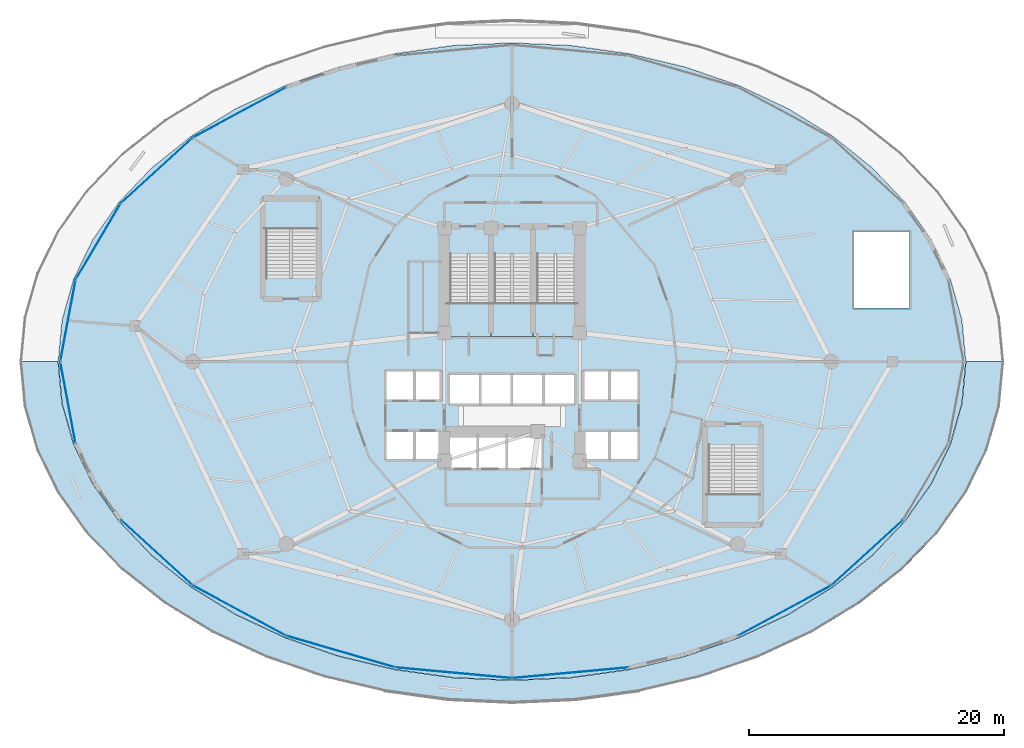
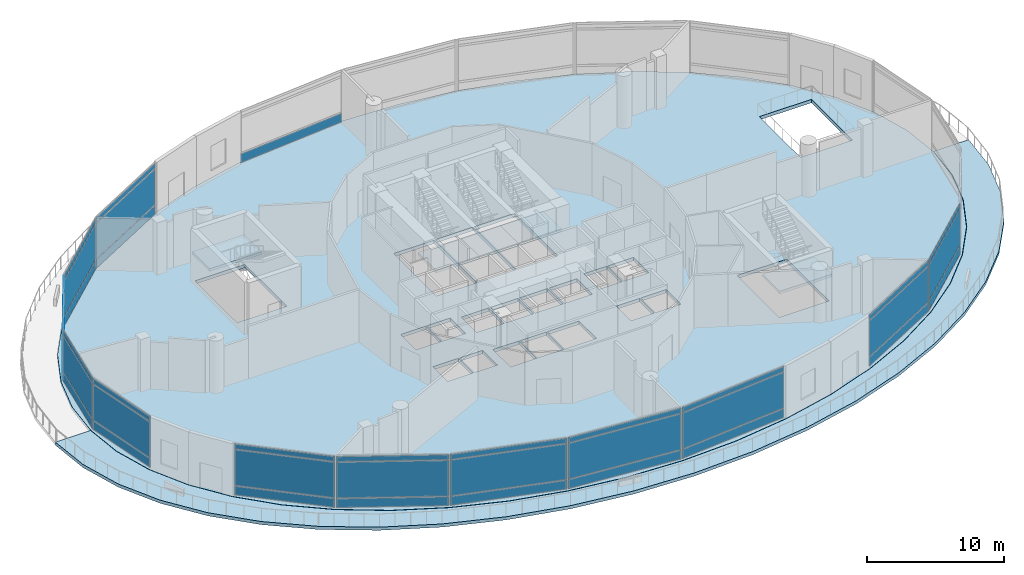
# One storey, part 24 of 36: 37 plates, 7 slabs, 18 elements without a shape of their own.
"""IFC4 building model written with IfcOpenShell, lengths in metres."""

from ifc_helpers import new_model, si_unit, direction, frame, origin, origin_2d, place, context, subcontext, project, spatial, polyline, rectangle, outline, extrude, material, layer, layer_set, type_object, element, aggregate, save


model = new_model("IFC4")

# Units and contexts
model_context = context("Model", 3, precision=1e-05, world=origin(), true_north=direction((0.0, 1.0)))
body_context = subcontext(model_context, "Body", "Model", "MODEL_VIEW")
ifc_project = project(units=[si_unit("LENGTHUNIT", "METRE"), si_unit("AREAUNIT", "SQUARE_METRE"), si_unit("VOLUMEUNIT", "CUBIC_METRE"), si_unit("PLANEANGLEUNIT", "RADIAN"), si_unit("MASSUNIT", "GRAM", prefix="KILO")], contexts=[model_context])

# Site, building, storey
site_placement = place(None, origin())
site = spatial("IfcSite", under=ifc_project, at=site_placement, CompositionType="ELEMENT")
building_placement = place(site_placement, origin())
building = spatial("IfcBuilding", under=site, at=building_placement, Name="Nuhasar Tower", CompositionType="ELEMENT")
storey_placement = place(building_placement, frame((0.0, 0.0, 11.0)))
storey = spatial("IfcBuildingStorey", under=building, at=storey_placement, Name="L02", CompositionType="ELEMENT", Elevation=11.0)

# Curtain wall, plates
ifc_material_1 = material(Name="Aluminium 6063-T6", Category="aluminium")
ifc_layer_1 = layer(ifc_material_1, 0.219970703125)
ifc_layer_set_1 = layer_set([ifc_layer_1], Name="Aluminium 6063-T6")
curtain_wall_type = type_object("IfcCurtainWallType", Name="CW-PODIUM", PredefinedType="NOTDEFINED", material=ifc_layer_set_1)
curtain_wall_1_placement = place(storey_placement, origin())
curtain_wall_1 = element("IfcCurtainWall", 1, at=curtain_wall_1_placement, inside=storey, type_object=curtain_wall_type, Name="L02 Podium Curtain Wall Bay 09", PredefinedType="NOTDEFINED")
ifc_material_2 = material(Name="Glass Double Low-E", Category="glass")
ifc_layer_2 = layer(ifc_material_2, 0.028076171875)
ifc_layer_set_2 = layer_set([ifc_layer_2], Name="Glass Double Low-E")
plate_type_1 = type_object("IfcPlateType", Name="CW-PANEL-GLZ", PredefinedType="CURTAIN_PANEL", material=ifc_layer_set_2)
plate_1_placement = place(storey_placement, frame((17.610107421875, 46.33837890625, 0.9375), z_axis=(0.0, 0.0, 1.0), x_axis=(-0.880736813978, -0.473606022453, 0.0)))
plate_1 = element("IfcPlate", 2, at=plate_1_placement, type_object=plate_type_1, Name="CW-P1 panel 1.2", PredefinedType="CURTAIN_PANEL", context=body_context, shape_type="SweptSolid", body=[
    extrude(rectangle(XDim=8.183837890625, YDim=0.028076171875, at=origin_2d()), origin(), (0.0, 0.0, 1.0), 3.175048828125),
])
plate_2_placement = place(storey_placement, frame((17.610107421875, 46.33837890625, 4.1875), z_axis=(0.0, 0.0, 1.0), x_axis=(-0.880736813978, -0.473606022453, 0.0)))
plate_2 = element("IfcPlate", 3, at=plate_2_placement, type_object=plate_type_1, Name="CW-P1 panel 1.3", PredefinedType="CURTAIN_PANEL", context=body_context, shape_type="SweptSolid", body=[
    extrude(rectangle(XDim=8.183837890625, YDim=0.028076171875, at=origin_2d()), origin(), (0.0, 0.0, 1.0), 0.4375),
])

curtain_wall_2_placement = place(storey_placement, origin())
curtain_wall_2 = element("IfcCurtainWall", 4, at=curtain_wall_2_placement, inside=storey, type_object=curtain_wall_type, Name="L02 Podium Curtain Wall Bay 10", PredefinedType="NOTDEFINED")
plate_3_placement = place(storey_placement, frame((11.1240234375, 41.79248046875, 0.9375), z_axis=(0.0, 0.0, 1.0), x_axis=(-0.738306670127, -0.674465166517, 0.0)))
plate_3 = element("IfcPlate", 5, at=plate_3_placement, type_object=plate_type_1, Name="CW-P1 panel 1.2", PredefinedType="CURTAIN_PANEL", context=body_context, shape_type="SweptSolid", body=[
    extrude(rectangle(XDim=7.478271484375, YDim=0.028076171875, at=origin_2d()), origin(), (0.0, 0.0, 1.0), 3.175048828125),
])
plate_4_placement = place(storey_placement, frame((11.1240234375, 41.79248046875, 4.1875), z_axis=(0.0, 0.0, 1.0), x_axis=(-0.738306670127, -0.674465166517, 0.0)))
plate_4 = element("IfcPlate", 6, at=plate_4_placement, type_object=plate_type_1, Name="CW-P1 panel 1.3", PredefinedType="CURTAIN_PANEL", context=body_context, shape_type="SweptSolid", body=[
    extrude(rectangle(XDim=7.478271484375, YDim=0.028076171875, at=origin_2d()), origin(), (0.0, 0.0, 1.0), 0.4375),
])

curtain_wall_3_placement = place(storey_placement, origin())
curtain_wall_3 = element("IfcCurtainWall", 7, at=curtain_wall_3_placement, inside=storey, type_object=curtain_wall_type, Name="L02 Podium Curtain Wall Bay 11", PredefinedType="NOTDEFINED")
plate_5_placement = place(storey_placement, frame((6.5380859375, 36.224609375, 0.9375), z_axis=(0.0, 0.0, 1.0), x_axis=(-0.508714787537, -0.860935110761, 0.0)))
plate_5 = element("IfcPlate", 8, at=plate_5_placement, type_object=plate_type_1, Name="CW-P1 panel 1.2", PredefinedType="CURTAIN_PANEL", context=body_context, shape_type="SweptSolid", body=[
    extrude(rectangle(XDim=6.80859375, YDim=0.028076171875, at=origin_2d()), origin(), (0.0, 0.0, 1.0), 3.175048828125),
])
plate_6_placement = place(storey_placement, frame((6.5380859375, 36.224609375, 4.1875), z_axis=(0.0, 0.0, 1.0), x_axis=(-0.508714787537, -0.860935110761, 0.0)))
plate_6 = element("IfcPlate", 9, at=plate_6_placement, type_object=plate_type_1, Name="CW-P1 panel 1.3", PredefinedType="CURTAIN_PANEL", context=body_context, shape_type="SweptSolid", body=[
    extrude(rectangle(XDim=6.80859375, YDim=0.028076171875, at=origin_2d()), origin(), (0.0, 0.0, 1.0), 0.4375),
])

curtain_wall_4_placement = place(storey_placement, origin())
curtain_wall_4 = element("IfcCurtainWall", 10, at=curtain_wall_4_placement, inside=storey, type_object=curtain_wall_type, Name="L02 Podium Curtain Wall Bay 12", PredefinedType="NOTDEFINED")
plate_7_placement = place(storey_placement, frame((4.1640625, 30.014404296875, 0.9375), z_axis=(0.0, 0.0, 1.0), x_axis=(-0.184666946725, -0.982801159334, 0.0)))
plate_7 = element("IfcPlate", 11, at=plate_7_placement, type_object=plate_type_1, Name="CW-P1 panel 1.2", PredefinedType="CURTAIN_PANEL", context=body_context, shape_type="SweptSolid", body=[
    extrude(rectangle(XDim=6.3916015625, YDim=0.028076171875, at=origin_2d()), origin(), (0.0, 0.0, 1.0), 3.175048828125),
])
plate_8_placement = place(storey_placement, frame((4.1640625, 30.014404296875, 4.1875), z_axis=(0.0, 0.0, 1.0), x_axis=(-0.184666946725, -0.982801159334, 0.0)))
plate_8 = element("IfcPlate", 12, at=plate_8_placement, type_object=plate_type_1, Name="CW-P1 panel 1.3", PredefinedType="CURTAIN_PANEL", context=body_context, shape_type="SweptSolid", body=[
    extrude(rectangle(XDim=6.3916015625, YDim=0.028076171875, at=origin_2d()), origin(), (0.0, 0.0, 1.0), 0.4375),
])

curtain_wall_5_placement = place(storey_placement, origin())
curtain_wall_5 = element("IfcCurtainWall", 13, at=curtain_wall_5_placement, inside=storey, type_object=curtain_wall_type, Name="L02 Podium Curtain Wall Bay 13", PredefinedType="NOTDEFINED")
plate_9_placement = place(storey_placement, frame((4.1640625, 23.58544921875, 0.9375), z_axis=(0.0, 0.0, 1.0), x_axis=(0.184666946725, -0.982801159334, 0.0)))
plate_9 = element("IfcPlate", 14, at=plate_9_placement, type_object=plate_type_1, Name="CW-P1 panel 1.2", PredefinedType="CURTAIN_PANEL", context=body_context, shape_type="SweptSolid", body=[
    extrude(rectangle(XDim=6.3916015625, YDim=0.028076171875, at=origin_2d()), origin(), (0.0, 0.0, 1.0), 3.175048828125),
])
plate_10_placement = place(storey_placement, frame((4.1640625, 23.58544921875, 4.1875), z_axis=(0.0, 0.0, 1.0), x_axis=(0.184666946725, -0.982801159334, 0.0)))
plate_10 = element("IfcPlate", 15, at=plate_10_placement, type_object=plate_type_1, Name="CW-P1 panel 1.3", PredefinedType="CURTAIN_PANEL", context=body_context, shape_type="SweptSolid", body=[
    extrude(rectangle(XDim=6.3916015625, YDim=0.028076171875, at=origin_2d()), origin(), (0.0, 0.0, 1.0), 0.4375),
])

curtain_wall_6_placement = place(storey_placement, origin())
curtain_wall_6 = element("IfcCurtainWall", 16, at=curtain_wall_6_placement, inside=storey, type_object=curtain_wall_type, Name="L02 Podium Curtain Wall Bay 15", PredefinedType="NOTDEFINED")
plate_11_placement = place(storey_placement, frame((11.1240234375, 11.8076171875, 0.9375), z_axis=(0.0, 0.0, 1.0), x_axis=(0.738306670127, -0.674465166517, 0.0)))
plate_11 = element("IfcPlate", 17, at=plate_11_placement, type_object=plate_type_1, Name="CW-P1 panel 1.2", PredefinedType="CURTAIN_PANEL", context=body_context, shape_type="SweptSolid", body=[
    extrude(rectangle(XDim=7.478271484375, YDim=0.028076171875, at=origin_2d()), origin(), (0.0, 0.0, 1.0), 3.175048828125),
])
plate_12_placement = place(storey_placement, frame((11.1240234375, 11.8076171875, 4.1875), z_axis=(0.0, 0.0, 1.0), x_axis=(0.738306670127, -0.674465166517, 0.0)))
plate_12 = element("IfcPlate", 18, at=plate_12_placement, type_object=plate_type_1, Name="CW-P1 panel 1.3", PredefinedType="CURTAIN_PANEL", context=body_context, shape_type="SweptSolid", body=[
    extrude(rectangle(XDim=7.478271484375, YDim=0.028076171875, at=origin_2d()), origin(), (0.0, 0.0, 1.0), 0.4375),
])

curtain_wall_7_placement = place(storey_placement, origin())
curtain_wall_7 = element("IfcCurtainWall", 19, at=curtain_wall_7_placement, inside=storey, type_object=curtain_wall_type, Name="L02 Podium Curtain Wall Bay 16", PredefinedType="NOTDEFINED")
plate_13_placement = place(storey_placement, frame((17.610107421875, 7.261474609375, 0.9375), z_axis=(0.0, 0.0, 1.0), x_axis=(0.880736813978, -0.473606022453, 0.0)))
plate_13 = element("IfcPlate", 20, at=plate_13_placement, type_object=plate_type_1, Name="CW-P1 panel 1.2", PredefinedType="CURTAIN_PANEL", context=body_context, shape_type="SweptSolid", body=[
    extrude(rectangle(XDim=8.183837890625, YDim=0.028076171875, at=origin_2d()), origin(), (0.0, 0.0, 1.0), 3.175048828125),
])
plate_14_placement = place(storey_placement, frame((17.610107421875, 7.261474609375, 4.1875), z_axis=(0.0, 0.0, 1.0), x_axis=(0.880736813978, -0.473606022453, 0.0)))
plate_14 = element("IfcPlate", 21, at=plate_14_placement, type_object=plate_type_1, Name="CW-P1 panel 1.3", PredefinedType="CURTAIN_PANEL", context=body_context, shape_type="SweptSolid", body=[
    extrude(rectangle(XDim=8.183837890625, YDim=0.028076171875, at=origin_2d()), origin(), (0.0, 0.0, 1.0), 0.4375),
])

curtain_wall_8_placement = place(storey_placement, origin())
curtain_wall_8 = element("IfcCurtainWall", 22, at=curtain_wall_8_placement, inside=storey, type_object=curtain_wall_type, Name="L02 Podium Curtain Wall Bay 17", PredefinedType="NOTDEFINED")
plate_15_placement = place(storey_placement, frame((25.553466796875, 4.047119140625, 0.9375), z_axis=(0.0, 0.0, 1.0), x_axis=(0.960327785787, -0.278873705907, 0.0)))
plate_15 = element("IfcPlate", 23, at=plate_15_placement, type_object=plate_type_1, Name="CW-P1 panel 1.2", PredefinedType="CURTAIN_PANEL", context=body_context, shape_type="SweptSolid", body=[
    extrude(rectangle(XDim=8.75, YDim=0.028076171875, at=origin_2d()), origin(), (0.0, 0.0, 1.0), 3.175048828125),
])
plate_16_placement = place(storey_placement, frame((25.553466796875, 4.047119140625, 4.1875), z_axis=(0.0, 0.0, 1.0), x_axis=(0.960327785787, -0.278873705907, 0.0)))
plate_16 = element("IfcPlate", 24, at=plate_16_placement, type_object=plate_type_1, Name="CW-P1 panel 1.3", PredefinedType="CURTAIN_PANEL", context=body_context, shape_type="SweptSolid", body=[
    extrude(rectangle(XDim=8.75, YDim=0.028076171875, at=origin_2d()), origin(), (0.0, 0.0, 1.0), 0.4375),
])

curtain_wall_9_placement = place(storey_placement, origin())
curtain_wall_9 = element("IfcCurtainWall", 25, at=curtain_wall_9_placement, inside=storey, type_object=curtain_wall_type, Name="L02 Podium Curtain Wall Bay 18", PredefinedType="NOTDEFINED")
plate_17_placement = place(storey_placement, frame((34.41357421875, 2.383056640625, 0.9375), z_axis=(0.0, 0.0, 1.0), x_axis=(0.995774013045, -0.091837437601, 0.0)))
plate_17 = element("IfcPlate", 26, at=plate_17_placement, type_object=plate_type_1, Name="CW-P1 panel 1.2", PredefinedType="CURTAIN_PANEL", context=body_context, shape_type="SweptSolid", body=[
    extrude(rectangle(XDim=9.06201171875, YDim=0.028076171875, at=origin_2d()), origin(), (0.0, 0.0, 1.0), 3.175048828125),
])
plate_18_placement = place(storey_placement, frame((34.41357421875, 2.383056640625, 4.1875), z_axis=(0.0, 0.0, 1.0), x_axis=(0.995774013045, -0.091837437601, 0.0)))
plate_18 = element("IfcPlate", 27, at=plate_18_placement, type_object=plate_type_1, Name="CW-P1 panel 1.3", PredefinedType="CURTAIN_PANEL", context=body_context, shape_type="SweptSolid", body=[
    extrude(rectangle(XDim=9.06201171875, YDim=0.028076171875, at=origin_2d()), origin(), (0.0, 0.0, 1.0), 0.4375),
])

curtain_wall_10_placement = place(storey_placement, origin())
curtain_wall_10 = element("IfcCurtainWall", 28, at=curtain_wall_10_placement, inside=storey, type_object=curtain_wall_type, Name="L02 Podium Curtain Wall Bay 19", PredefinedType="NOTDEFINED")
plate_19_placement = place(storey_placement, frame((43.58642578125, 2.383056640625, 0.9375), z_axis=(0.0, 0.0, 1.0), x_axis=(0.995774013045, 0.091837437601, 0.0)))
plate_19 = element("IfcPlate", 29, at=plate_19_placement, type_object=plate_type_1, Name="CW-P1 panel 1.2", PredefinedType="CURTAIN_PANEL", context=body_context, shape_type="SweptSolid", body=[
    extrude(rectangle(XDim=9.06201171875, YDim=0.028076171875, at=origin_2d()), origin(), (0.0, 0.0, 1.0), 3.175048828125),
])
plate_20_placement = place(storey_placement, frame((43.58642578125, 2.383056640625, 4.1875), z_axis=(0.0, 0.0, 1.0), x_axis=(0.995774013045, 0.091837437601, 0.0)))
plate_20 = element("IfcPlate", 30, at=plate_20_placement, type_object=plate_type_1, Name="CW-P1 panel 1.3", PredefinedType="CURTAIN_PANEL", context=body_context, shape_type="SweptSolid", body=[
    extrude(rectangle(XDim=9.06201171875, YDim=0.028076171875, at=origin_2d()), origin(), (0.0, 0.0, 1.0), 0.4375),
])

curtain_wall_11_placement = place(storey_placement, origin())
curtain_wall_11 = element("IfcCurtainWall", 31, at=curtain_wall_11_placement, inside=storey, type_object=curtain_wall_type, Name="L02 Podium Curtain Wall Bay 21", PredefinedType="NOTDEFINED")
plate_21_placement = place(storey_placement, frame((60.389892578125, 7.261474609375, 0.9375), z_axis=(0.0, 0.0, 1.0), x_axis=(0.880736813978, 0.473606022453, 0.0)))
plate_21 = element("IfcPlate", 32, at=plate_21_placement, type_object=plate_type_1, Name="CW-P1 panel 1.2", PredefinedType="CURTAIN_PANEL", context=body_context, shape_type="SweptSolid", body=[
    extrude(rectangle(XDim=8.183837890625, YDim=0.028076171875, at=origin_2d()), origin(), (0.0, 0.0, 1.0), 3.175048828125),
])
plate_22_placement = place(storey_placement, frame((60.389892578125, 7.261474609375, 4.1875), z_axis=(0.0, 0.0, 1.0), x_axis=(0.880736813978, 0.473606022453, 0.0)))
plate_22 = element("IfcPlate", 33, at=plate_22_placement, type_object=plate_type_1, Name="CW-P1 panel 1.3", PredefinedType="CURTAIN_PANEL", context=body_context, shape_type="SweptSolid", body=[
    extrude(rectangle(XDim=8.183837890625, YDim=0.028076171875, at=origin_2d()), origin(), (0.0, 0.0, 1.0), 0.4375),
])

curtain_wall_12_placement = place(storey_placement, origin())
curtain_wall_12 = element("IfcCurtainWall", 34, at=curtain_wall_12_placement, inside=storey, type_object=curtain_wall_type, Name="L02 Podium Curtain Wall Bay 22", PredefinedType="NOTDEFINED")
plate_23_placement = place(storey_placement, frame((66.8759765625, 11.8076171875, 0.9375), z_axis=(0.0, 0.0, 1.0), x_axis=(0.738306670127, 0.674465166517, 0.0)))
plate_23 = element("IfcPlate", 35, at=plate_23_placement, type_object=plate_type_1, Name="CW-P1 panel 1.2", PredefinedType="CURTAIN_PANEL", context=body_context, shape_type="SweptSolid", body=[
    extrude(rectangle(XDim=7.478271484375, YDim=0.028076171875, at=origin_2d()), origin(), (0.0, 0.0, 1.0), 3.175048828125),
])
plate_24_placement = place(storey_placement, frame((66.8759765625, 11.8076171875, 4.1875), z_axis=(0.0, 0.0, 1.0), x_axis=(0.738306670127, 0.674465166517, 0.0)))
plate_24 = element("IfcPlate", 36, at=plate_24_placement, type_object=plate_type_1, Name="CW-P1 panel 1.3", PredefinedType="CURTAIN_PANEL", context=body_context, shape_type="SweptSolid", body=[
    extrude(rectangle(XDim=7.478271484375, YDim=0.028076171875, at=origin_2d()), origin(), (0.0, 0.0, 1.0), 0.4375),
])

# Curtain wall, plate
curtain_wall_13_placement = place(storey_placement, origin())
curtain_wall_13 = element("IfcCurtainWall", 37, at=curtain_wall_13_placement, inside=storey, type_object=curtain_wall_type, Name="L02 Podium Curtain Wall Bay 07", PredefinedType="NOTDEFINED")
ifc_material_3 = material(Name="Glass Spandrel", Category="glass")
ifc_layer_3 = layer(ifc_material_3, 0.035888671875)
ifc_layer_set_3 = layer_set([ifc_layer_3], Name="Glass Spandrel")
plate_type_2 = type_object("IfcPlateType", Name="CW-PANEL-SPN", PredefinedType="CURTAIN_PANEL", material=ifc_layer_set_3)
plate_25_placement = place(storey_placement, frame((34.41357421875, 51.217041015625, 0.074951171875), z_axis=(0.0, 0.0, 1.0), x_axis=(-0.995774013045, -0.091837437601, 0.0)))
plate_25 = element("IfcPlate", 38, at=plate_25_placement, type_object=plate_type_2, Name="CW-P1 panel 1.1", PredefinedType="CURTAIN_PANEL", context=body_context, shape_type="SweptSolid", body=[
    extrude(rectangle(XDim=9.06201171875, YDim=0.035888671875, at=origin_2d()), origin(), (0.0, 0.0, 1.0), 0.78759765625),
])
aggregate(curtain_wall_13, [plate_25])

# Plate
plate_26_placement = place(storey_placement, frame((17.610107421875, 46.33837890625, 0.074951171875), z_axis=(0.0, 0.0, 1.0), x_axis=(-0.880736813978, -0.473606022453, 0.0)))
plate_26 = element("IfcPlate", 39, at=plate_26_placement, type_object=plate_type_2, Name="CW-P1 panel 1.1", PredefinedType="CURTAIN_PANEL", context=body_context, shape_type="SweptSolid", body=[
    extrude(rectangle(XDim=8.183837890625, YDim=0.035888671875, at=origin_2d()), origin(), (0.0, 0.0, 1.0), 0.78759765625),
])

aggregate(curtain_wall_1, [plate_26, plate_1, plate_2])

plate_27_placement = place(storey_placement, frame((11.1240234375, 41.79248046875, 0.074951171875), z_axis=(0.0, 0.0, 1.0), x_axis=(-0.738306670127, -0.674465166517, 0.0)))
plate_27 = element("IfcPlate", 40, at=plate_27_placement, type_object=plate_type_2, Name="CW-P1 panel 1.1", PredefinedType="CURTAIN_PANEL", context=body_context, shape_type="SweptSolid", body=[
    extrude(rectangle(XDim=7.478271484375, YDim=0.035888671875, at=origin_2d()), origin(), (0.0, 0.0, 1.0), 0.78759765625),
])

aggregate(curtain_wall_2, [plate_27, plate_3, plate_4])

plate_28_placement = place(storey_placement, frame((6.5380859375, 36.224609375, 0.074951171875), z_axis=(0.0, 0.0, 1.0), x_axis=(-0.508714787537, -0.860935110761, 0.0)))
plate_28 = element("IfcPlate", 41, at=plate_28_placement, type_object=plate_type_2, Name="CW-P1 panel 1.1", PredefinedType="CURTAIN_PANEL", context=body_context, shape_type="SweptSolid", body=[
    extrude(rectangle(XDim=6.80859375, YDim=0.035888671875, at=origin_2d()), origin(), (0.0, 0.0, 1.0), 0.78759765625),
])

aggregate(curtain_wall_3, [plate_28, plate_5, plate_6])

plate_29_placement = place(storey_placement, frame((4.1640625, 30.014404296875, 0.074951171875), z_axis=(0.0, 0.0, 1.0), x_axis=(-0.184666946725, -0.982801159334, 0.0)))
plate_29 = element("IfcPlate", 42, at=plate_29_placement, type_object=plate_type_2, Name="CW-P1 panel 1.1", PredefinedType="CURTAIN_PANEL", context=body_context, shape_type="SweptSolid", body=[
    extrude(rectangle(XDim=6.3916015625, YDim=0.035888671875, at=origin_2d()), origin(), (0.0, 0.0, 1.0), 0.78759765625),
])

aggregate(curtain_wall_4, [plate_29, plate_7, plate_8])

plate_30_placement = place(storey_placement, frame((4.1640625, 23.58544921875, 0.074951171875), z_axis=(0.0, 0.0, 1.0), x_axis=(0.184666946725, -0.982801159334, 0.0)))
plate_30 = element("IfcPlate", 43, at=plate_30_placement, type_object=plate_type_2, Name="CW-P1 panel 1.1", PredefinedType="CURTAIN_PANEL", context=body_context, shape_type="SweptSolid", body=[
    extrude(rectangle(XDim=6.3916015625, YDim=0.035888671875, at=origin_2d()), origin(), (0.0, 0.0, 1.0), 0.78759765625),
])

aggregate(curtain_wall_5, [plate_30, plate_9, plate_10])

plate_31_placement = place(storey_placement, frame((11.1240234375, 11.8076171875, 0.074951171875), z_axis=(0.0, 0.0, 1.0), x_axis=(0.738306670127, -0.674465166517, 0.0)))
plate_31 = element("IfcPlate", 44, at=plate_31_placement, type_object=plate_type_2, Name="CW-P1 panel 1.1", PredefinedType="CURTAIN_PANEL", context=body_context, shape_type="SweptSolid", body=[
    extrude(rectangle(XDim=7.478271484375, YDim=0.035888671875, at=origin_2d()), origin(), (0.0, 0.0, 1.0), 0.78759765625),
])

aggregate(curtain_wall_6, [plate_31, plate_11, plate_12])

plate_32_placement = place(storey_placement, frame((17.610107421875, 7.261474609375, 0.074951171875), z_axis=(0.0, 0.0, 1.0), x_axis=(0.880736813978, -0.473606022453, 0.0)))
plate_32 = element("IfcPlate", 45, at=plate_32_placement, type_object=plate_type_2, Name="CW-P1 panel 1.1", PredefinedType="CURTAIN_PANEL", context=body_context, shape_type="SweptSolid", body=[
    extrude(rectangle(XDim=8.183837890625, YDim=0.035888671875, at=origin_2d()), origin(), (0.0, 0.0, 1.0), 0.78759765625),
])

aggregate(curtain_wall_7, [plate_32, plate_13, plate_14])

plate_33_placement = place(storey_placement, frame((25.553466796875, 4.047119140625, 0.074951171875), z_axis=(0.0, 0.0, 1.0), x_axis=(0.960327785787, -0.278873705907, 0.0)))
plate_33 = element("IfcPlate", 46, at=plate_33_placement, type_object=plate_type_2, Name="CW-P1 panel 1.1", PredefinedType="CURTAIN_PANEL", context=body_context, shape_type="SweptSolid", body=[
    extrude(rectangle(XDim=8.75, YDim=0.035888671875, at=origin_2d()), origin(), (0.0, 0.0, 1.0), 0.78759765625),
])

aggregate(curtain_wall_8, [plate_33, plate_15, plate_16])

plate_34_placement = place(storey_placement, frame((34.41357421875, 2.383056640625, 0.074951171875), z_axis=(0.0, 0.0, 1.0), x_axis=(0.995774013045, -0.091837437601, 0.0)))
plate_34 = element("IfcPlate", 47, at=plate_34_placement, type_object=plate_type_2, Name="CW-P1 panel 1.1", PredefinedType="CURTAIN_PANEL", context=body_context, shape_type="SweptSolid", body=[
    extrude(rectangle(XDim=9.06201171875, YDim=0.035888671875, at=origin_2d()), origin(), (0.0, 0.0, 1.0), 0.78759765625),
])

aggregate(curtain_wall_9, [plate_34, plate_17, plate_18])

plate_35_placement = place(storey_placement, frame((43.58642578125, 2.383056640625, 0.074951171875), z_axis=(0.0, 0.0, 1.0), x_axis=(0.995774013045, 0.091837437601, 0.0)))
plate_35 = element("IfcPlate", 48, at=plate_35_placement, type_object=plate_type_2, Name="CW-P1 panel 1.1", PredefinedType="CURTAIN_PANEL", context=body_context, shape_type="SweptSolid", body=[
    extrude(rectangle(XDim=9.06201171875, YDim=0.035888671875, at=origin_2d()), origin(), (0.0, 0.0, 1.0), 0.78759765625),
])

aggregate(curtain_wall_10, [plate_35, plate_19, plate_20])

plate_36_placement = place(storey_placement, frame((60.389892578125, 7.261474609375, 0.074951171875), z_axis=(0.0, 0.0, 1.0), x_axis=(0.880736813978, 0.473606022453, 0.0)))
plate_36 = element("IfcPlate", 49, at=plate_36_placement, type_object=plate_type_2, Name="CW-P1 panel 1.1", PredefinedType="CURTAIN_PANEL", context=body_context, shape_type="SweptSolid", body=[
    extrude(rectangle(XDim=8.183837890625, YDim=0.035888671875, at=origin_2d()), origin(), (0.0, 0.0, 1.0), 0.78759765625),
])

aggregate(curtain_wall_11, [plate_36, plate_21, plate_22])

plate_37_placement = place(storey_placement, frame((66.8759765625, 11.8076171875, 0.074951171875), z_axis=(0.0, 0.0, 1.0), x_axis=(0.738306670127, 0.674465166517, 0.0)))
plate_37 = element("IfcPlate", 50, at=plate_37_placement, type_object=plate_type_2, Name="CW-P1 panel 1.1", PredefinedType="CURTAIN_PANEL", context=body_context, shape_type="SweptSolid", body=[
    extrude(rectangle(XDim=7.478271484375, YDim=0.035888671875, at=origin_2d()), origin(), (0.0, 0.0, 1.0), 0.78759765625),
])

aggregate(curtain_wall_12, [plate_37, plate_23, plate_24])

# Slab
ifc_material_4 = material(Name="Concrete C50/60", Category="concrete")
ifc_layer_4 = layer(ifc_material_4, 0.300048828125)
ifc_layer_set_4 = layer_set([ifc_layer_4], Name="Concrete C50/60")
slab_type_1 = type_object("IfcSlabType", Name="SLB-POD-300", PredefinedType="FLOOR", material=ifc_layer_set_4)
slab_1_placement = place(storey_placement, frame((0.0, 0.0, -0.300048828125)))
element("IfcSlab", 51, at=slab_1_placement, inside=storey, type_object=slab_type_1, Name="L02 Structural Slab", PredefinedType="FLOOR", context=body_context, shape_type="SweptSolid", body=[
    extrude(outline(polyline([(74.60009765625, 26.800048828125), (74.294921875, 30.06298828125), (73.386962890625, 33.27001953125), (71.889892578125, 36.366943359375), (69.8310546875, 39.300048828125), (67.242919921875, 42.01904296875), (64.173095703125, 44.47802734375), (60.672119140625, 46.634033203125), (56.800048828125, 48.450927734375), (52.6240234375, 49.89697265625), (48.214111328125, 50.947998046875), (43.64697265625, 51.5859375), (39.0, 51.800048828125), (34.35302734375, 51.5859375), (29.785888671875, 50.947998046875), (25.3759765625, 49.89697265625), (21.199951171875, 48.450927734375), (17.327880859375, 46.634033203125), (13.826904296875, 44.47802734375), (10.757080078125, 42.01904296875), (8.1689453125, 39.300048828125), (6.110107421875, 36.366943359375), (4.613037109375, 33.27001953125), (3.705078125, 30.06298828125), (3.39990234375, 26.800048828125), (3.705078125, 23.537109375), (4.613037109375, 20.330078125), (6.110107421875, 17.23291015625), (8.1689453125, 14.300048828125), (10.757080078125, 11.5810546875), (13.826904296875, 9.1220703125), (17.327880859375, 6.966064453125), (21.199951171875, 5.14892578125), (25.3759765625, 3.702880859375), (29.785888671875, 2.652099609375), (34.35302734375, 2.013916015625), (39.0, 1.800048828125), (43.64697265625, 2.013916015625), (48.214111328125, 2.652099609375), (52.6240234375, 3.702880859375), (56.800048828125, 5.14892578125), (60.672119140625, 6.966064453125), (64.173095703125, 9.1220703125), (67.242919921875, 11.5810546875), (69.8310546875, 14.300048828125), (71.889892578125, 17.23291015625), (73.386962890625, 20.330078125), (74.294921875, 23.537109375), (74.60009765625, 26.800048828125)]), holes=[polyline([(33.8798828125, 35.25), (37.300048828125, 35.25), (37.300048828125, 29.0), (33.8798828125, 29.0), (33.8798828125, 35.25)]), polyline([(37.39990234375, 35.25), (40.60009765625, 35.25), (40.60009765625, 29.0), (37.39990234375, 29.0), (37.39990234375, 35.25)]), polyline([(40.699951171875, 35.25), (44.1201171875, 35.25), (44.1201171875, 29.0), (40.699951171875, 29.0), (40.699951171875, 35.25)]), polyline([(19.550048828125, 39.5), (23.75, 39.5), (23.75, 33.35009765625), (19.550048828125, 33.35009765625), (19.550048828125, 39.5)]), polyline([(54.25, 20.25), (58.449951171875, 20.25), (58.449951171875, 14.10009765625), (54.25, 14.10009765625), (54.25, 20.25)]), polyline([(29.14990234375, 26.050048828125), (31.300048828125, 26.050048828125), (31.300048828125, 23.800048828125), (29.14990234375, 23.800048828125), (29.14990234375, 26.050048828125)]), polyline([(31.39990234375, 26.050048828125), (33.35009765625, 26.050048828125), (33.35009765625, 23.800048828125), (31.39990234375, 23.800048828125), (31.39990234375, 26.050048828125)]), polyline([(29.14990234375, 21.300048828125), (31.300048828125, 21.300048828125), (31.300048828125, 19.14990234375), (29.14990234375, 19.14990234375), (29.14990234375, 21.300048828125)]), polyline([(31.39990234375, 21.300048828125), (33.35009765625, 21.300048828125), (33.35009765625, 19.14990234375), (31.39990234375, 19.14990234375), (31.39990234375, 21.300048828125)]), polyline([(44.64990234375, 26.050048828125), (46.60009765625, 26.050048828125), (46.60009765625, 23.800048828125), (44.64990234375, 23.800048828125), (44.64990234375, 26.050048828125)]), polyline([(46.699951171875, 26.050048828125), (48.85009765625, 26.050048828125), (48.85009765625, 23.800048828125), (46.699951171875, 23.800048828125), (46.699951171875, 26.050048828125)]), polyline([(44.64990234375, 21.300048828125), (46.60009765625, 21.300048828125), (46.60009765625, 19.14990234375), (44.64990234375, 19.14990234375), (44.64990234375, 21.300048828125)]), polyline([(46.699951171875, 21.300048828125), (48.85009765625, 21.300048828125), (48.85009765625, 19.14990234375), (46.699951171875, 19.14990234375), (46.699951171875, 21.300048828125)]), polyline([(34.10009765625, 25.75), (36.43994140625, 25.75), (36.43994140625, 23.5), (34.10009765625, 23.5), (34.10009765625, 25.75)]), polyline([(36.580078125, 25.75), (38.919921875, 25.75), (38.919921875, 23.5), (36.580078125, 23.5), (36.580078125, 25.75)]), polyline([(39.06005859375, 25.75), (41.39990234375, 25.75), (41.39990234375, 23.5), (39.06005859375, 23.5), (39.06005859375, 25.75)]), polyline([(41.5400390625, 25.75), (43.8798828125, 25.75), (43.8798828125, 23.5), (41.5400390625, 23.5), (41.5400390625, 25.75)]), polyline([(34.050048828125, 21.0), (36.25, 21.0), (36.25, 18.449951171875), (34.050048828125, 18.449951171875), (34.050048828125, 21.0)]), polyline([(36.35009765625, 21.0), (38.550048828125, 21.0), (38.550048828125, 18.449951171875), (36.35009765625, 18.449951171875), (36.35009765625, 21.0)]), polyline([(38.64990234375, 21.0), (41.320068359375, 21.0), (41.320068359375, 18.449951171875), (38.64990234375, 18.449951171875), (38.64990234375, 21.0)]), polyline([(65.800048828125, 37.0), (70.199951171875, 37.0), (70.199951171875, 31.0), (65.800048828125, 31.0), (65.800048828125, 37.0)])]), origin(), (0.0, 0.0, 1.0), 0.300048828125),
])

# Stair, slab
ifc_material_5 = material(Name="Concrete C45/55", Category="concrete")
stair_type_1 = type_object("IfcStairType", Name="STR-ST-01-2F-30R-1667", PredefinedType="HALF_TURN_STAIR", material=ifc_material_5)
stair_1_placement = place(storey_placement, origin())
stair_1 = element("IfcStair", 52, at=stair_1_placement, inside=storey, type_object=stair_type_1, Name="L02 Exit Stair ST-01", PredefinedType="HALF_TURN_STAIR")
ifc_layer_5 = layer(ifc_material_5, 0.239990234375)
ifc_layer_set_5 = layer_set([ifc_layer_5], Name="Concrete C45/55")
slab_type_2 = type_object("IfcSlabType", Name="SLB-STAIR-LND-240", PredefinedType="LANDING", material=ifc_layer_set_5)
slab_2_placement = place(storey_placement, frame((0.0, 0.0, 2.260009765625)))
slab_2 = element("IfcSlab", 53, at=slab_2_placement, type_object=slab_type_2, Name="ST-01 landing 1", PredefinedType="LANDING", context=body_context, shape_type="SweptSolid", body=[
    extrude(outline(polyline([(33.699951171875, 28.75), (37.35009765625, 28.75), (37.35009765625, 31.39990234375), (33.699951171875, 31.39990234375), (33.699951171875, 28.75)])), origin(), (0.0, 0.0, 1.0), 0.239990234375),
])
aggregate(stair_1, [slab_2])

stair_type_2 = type_object("IfcStairType", Name="STR-ST-03-2F-30R-1667", PredefinedType="HALF_TURN_STAIR", material=ifc_material_5)
stair_2_placement = place(storey_placement, origin())
stair_2 = element("IfcStair", 54, at=stair_2_placement, inside=storey, type_object=stair_type_2, Name="L02 Exit Stair ST-03", PredefinedType="HALF_TURN_STAIR")
slab_3_placement = place(storey_placement, frame((0.0, 0.0, 2.260009765625)))
slab_3 = element("IfcSlab", 55, at=slab_3_placement, type_object=slab_type_2, Name="ST-03 landing 1", PredefinedType="LANDING", context=body_context, shape_type="SweptSolid", body=[
    extrude(outline(polyline([(37.35009765625, 28.75), (40.64990234375, 28.75), (40.64990234375, 31.39990234375), (37.35009765625, 31.39990234375), (37.35009765625, 28.75)])), origin(), (0.0, 0.0, 1.0), 0.239990234375),
])
aggregate(stair_2, [slab_3])

stair_type_3 = type_object("IfcStairType", Name="STR-ST-02-2F-30R-1667", PredefinedType="HALF_TURN_STAIR", material=ifc_material_5)
stair_3_placement = place(storey_placement, origin())
stair_3 = element("IfcStair", 56, at=stair_3_placement, inside=storey, type_object=stair_type_3, Name="L02 Exit Stair ST-02", PredefinedType="HALF_TURN_STAIR")
slab_4_placement = place(storey_placement, frame((0.0, 0.0, 2.260009765625)))
slab_4 = element("IfcSlab", 57, at=slab_4_placement, type_object=slab_type_2, Name="ST-02 landing 1", PredefinedType="LANDING", context=body_context, shape_type="SweptSolid", body=[
    extrude(outline(polyline([(40.64990234375, 28.75), (44.300048828125, 28.75), (44.300048828125, 31.39990234375), (40.64990234375, 31.39990234375), (40.64990234375, 28.75)])), origin(), (0.0, 0.0, 1.0), 0.239990234375),
])
aggregate(stair_3, [slab_4])

stair_type_4 = type_object("IfcStairType", Name="STR-ST-04-2F-30R-1667", PredefinedType="HALF_TURN_STAIR", material=ifc_material_5)
stair_4_placement = place(storey_placement, origin())
stair_4 = element("IfcStair", 58, at=stair_4_placement, inside=storey, type_object=stair_type_4, Name="L02 Exit Stair ST-04", PredefinedType="HALF_TURN_STAIR")
slab_5_placement = place(storey_placement, frame((0.0, 0.0, 2.260009765625)))
slab_5 = element("IfcSlab", 59, at=slab_5_placement, type_object=slab_type_2, Name="ST-04 landing 1", PredefinedType="LANDING", context=body_context, shape_type="SweptSolid", body=[
    extrude(outline(polyline([(19.449951171875, 37.199951171875), (23.85009765625, 37.199951171875), (23.85009765625, 39.75), (19.449951171875, 39.75), (19.449951171875, 37.199951171875)])), origin(), (0.0, 0.0, 1.0), 0.239990234375),
])
aggregate(stair_4, [slab_5])

stair_type_5 = type_object("IfcStairType", Name="STR-ST-05-2F-30R-1667", PredefinedType="HALF_TURN_STAIR", material=ifc_material_5)
stair_5_placement = place(storey_placement, origin())
stair_5 = element("IfcStair", 60, at=stair_5_placement, inside=storey, type_object=stair_type_5, Name="L02 Exit Stair ST-05", PredefinedType="HALF_TURN_STAIR")
slab_6_placement = place(storey_placement, frame((0.0, 0.0, 2.260009765625)))
slab_6 = element("IfcSlab", 61, at=slab_6_placement, type_object=slab_type_2, Name="ST-05 landing 1", PredefinedType="LANDING", context=body_context, shape_type="SweptSolid", body=[
    extrude(outline(polyline([(54.14990234375, 13.85009765625), (58.550048828125, 13.85009765625), (58.550048828125, 16.39990234375), (54.14990234375, 16.39990234375), (54.14990234375, 13.85009765625)])), origin(), (0.0, 0.0, 1.0), 0.239990234375),
])
aggregate(stair_5, [slab_6])

# Slab
ifc_layer_6 = layer(ifc_material_5, 0.280029296875)
ifc_layer_set_6 = layer_set([ifc_layer_6], Name="Concrete C45/55")
slab_type_3 = type_object("IfcSlabType", Name="SLB-TERR-280", PredefinedType="FLOOR", material=ifc_layer_set_6)
slab_7_placement = place(storey_placement, frame((0.0, 0.0, -0.280029296875)))
element("IfcSlab", 62, at=slab_7_placement, inside=storey, type_object=slab_type_3, Name="L02 Cascading Bustan Planted Terrace Slab South", PredefinedType="FLOOR", context=body_context, shape_type="SweptSolid", body=[
    extrude(outline(polyline([(0.39990234375, 26.800048828125), (0.72998046875, 23.302001953125), (1.715087890625, 19.864013671875), (3.337890625, 16.5439453125), (5.571044921875, 13.39990234375), (8.376953125, 10.485107421875), (11.7060546875, 7.85009765625), (15.501953125, 5.5380859375), (19.699951171875, 3.591064453125), (24.22802734375, 2.0400390625), (29.010009765625, 0.9130859375), (33.9619140625, 0.22900390625), (39.0, 0.0), (44.0380859375, 0.22900390625), (48.989990234375, 0.9130859375), (53.77197265625, 2.0400390625), (58.300048828125, 3.591064453125), (62.498046875, 5.5380859375), (66.2939453125, 7.85009765625), (69.623046875, 10.485107421875), (72.428955078125, 13.39990234375), (74.662109375, 16.5439453125), (76.284912109375, 19.864013671875), (77.27001953125, 23.302001953125), (77.60009765625, 26.800048828125), (74.6201171875, 26.800048828125), (74.31494140625, 23.533935546875), (73.406005859375, 20.323974609375), (71.908935546875, 17.22509765625), (69.847900390625, 14.2900390625), (67.259033203125, 11.569091796875), (64.18701171875, 9.10791015625), (60.68408203125, 6.949951171875), (56.81005859375, 5.132080078125), (52.631103515625, 3.68505859375), (48.218994140625, 2.633056640625), (43.64892578125, 1.993896484375), (39.0, 1.780029296875), (34.35107421875, 1.993896484375), (29.781005859375, 2.633056640625), (25.368896484375, 3.68505859375), (21.18994140625, 5.132080078125), (17.31591796875, 6.949951171875), (13.81298828125, 9.10791015625), (10.740966796875, 11.569091796875), (8.152099609375, 14.2900390625), (6.091064453125, 17.22509765625), (4.593994140625, 20.323974609375), (3.68505859375, 23.533935546875), (3.3798828125, 26.800048828125), (0.39990234375, 26.800048828125)])), origin(), (0.0, 0.0, 1.0), 0.280029296875),
])

save(model, "model.ifc")
